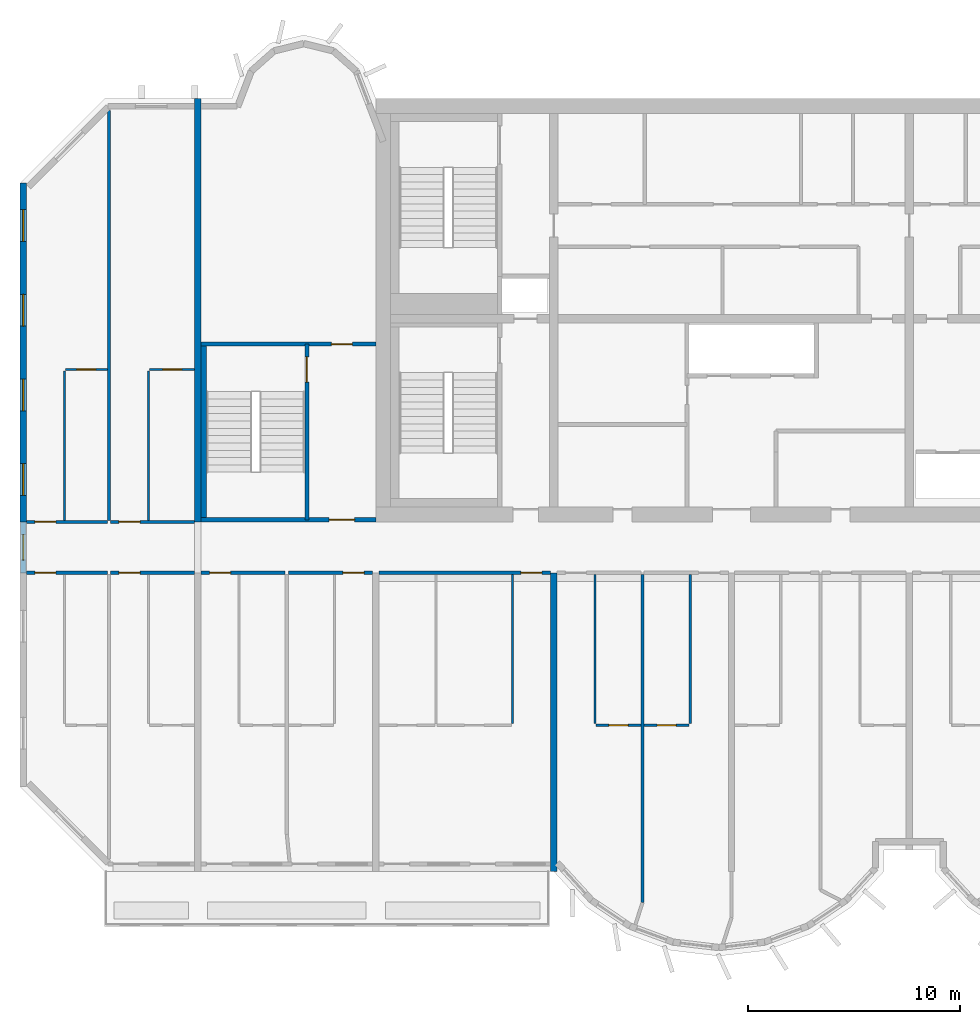
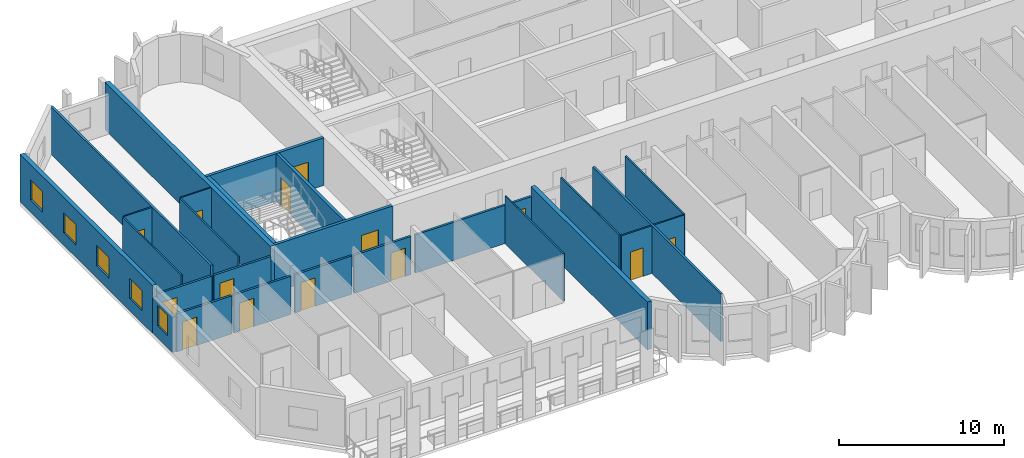
# One storey, part 3 of 13: 26 walls, 14 doors, 5 windows, 19 openings.
"""IFC4 building model written with IfcOpenShell, lengths in metres."""

import ifcopenshell
import ifcopenshell.guid

model = None  # the IFC model being written
_history = None  # IfcOwnerHistory: only IFC2X3 demands one
_inside = {}  # id of a spatial element -> (the spatial element, [elements in it])
_under = {}  # id of a project, library or spatial element -> (it, [spatial elements below it])
_declared = {}  # id of a project -> (the project, [libraries it declares])
_typed = {}  # id of a type object -> (the type object, [elements of that type])
_made_of = {}  # id of a material, layer set ... -> (it, [elements and type objects made of it])


def new_model(schema):
    """Start an empty IFC model of exactly this schema.

    Asked for "IFC4X3", IfcOpenShell would pick the latest addendum, in which some entities
    have other attributes; the version numbers below select the first issue.
    IFC2X3 requires an IfcOwnerHistory on every rooted entity: one is made here for all.
    """
    global model, _history
    if schema == "IFC4X3":
        model = ifcopenshell.file(schema_version=(4, 3, 0, 0))
    else:
        model = ifcopenshell.file(schema=schema)
    _inside.clear()
    _under.clear()
    _declared.clear()
    _typed.clear()
    _made_of.clear()
    _history = None
    if model.schema == "IFC2X3":
        org = make("IfcOrganization", Name="unknown")
        user = make(
            "IfcPersonAndOrganization",
            ThePerson=make("IfcPerson", FamilyName="unknown"),
            TheOrganization=org,
        )
        app = make(
            "IfcApplication",
            ApplicationDeveloper=org,
            Version="unknown",
            ApplicationFullName="unknown",
            ApplicationIdentifier="unknown",
        )
        _history = make(
            "IfcOwnerHistory",
            OwningUser=user,
            OwningApplication=app,
            ChangeAction="ADDED",
            CreationDate=0,
        )
    return model


def make(cls, **values):
    """One entity of the class cls with the attributes given. An attribute that is None is left unset."""
    return model.create_entity(
        cls, **{name: value for name, value in values.items() if value is not None}
    )


def rooted(cls, **values):
    """An entity with a GlobalId (a new one), such as an element, a storey or a relation."""
    return make(cls, GlobalId=ifcopenshell.guid.new(), OwnerHistory=_history, **values)


def si_unit(unit_type, name, prefix=None):
    """IfcSIUnit, for example si_unit("LENGTHUNIT", "METRE", prefix="MILLI")."""
    return make("IfcSIUnit", UnitType=unit_type, Prefix=prefix, Name=name)


def assignment(units):
    """IfcUnitAssignment: the units of a project."""
    return None if units is None else make("IfcUnitAssignment", Units=units)


def point(xyz):
    """IfcCartesianPoint."""
    return None if xyz is None else make("IfcCartesianPoint", Coordinates=xyz)


def direction(xyz):
    """IfcDirection."""
    return None if xyz is None else make("IfcDirection", DirectionRatios=xyz)


def frame(location, z_axis=None, x_axis=None):
    """IfcAxis2Placement3D, a coordinate frame: its origin and axes. An axis left out is left unset."""
    return make(
        "IfcAxis2Placement3D",
        Location=point(location),
        Axis=direction(z_axis),
        RefDirection=direction(x_axis),
    )


def frame_2d(location, x_axis=None):
    """IfcAxis2Placement2D, a coordinate frame in the plane: its origin and x axis."""
    return make(
        "IfcAxis2Placement2D", Location=point(location), RefDirection=direction(x_axis)
    )


def origin():
    """The frame at (0, 0, 0) with its axes left unset."""
    return frame((0.0, 0.0, 0.0))


def place(relative_to, where):
    """IfcLocalPlacement: puts the frame where relative to a parent placement (None: the world)."""
    return make(
        "IfcLocalPlacement", PlacementRelTo=relative_to, RelativePlacement=where
    )


def context(
    kind, dimensions, precision=None, world=None, true_north=None, identifier=None
):
    """IfcGeometricRepresentationContext, for example the 3D "Model" context."""
    return make(
        "IfcGeometricRepresentationContext",
        ContextIdentifier=identifier,
        ContextType=kind,
        CoordinateSpaceDimension=dimensions,
        Precision=precision,
        WorldCoordinateSystem=world,
        TrueNorth=true_north,
    )


def subcontext(parent, identifier, kind, view, scale=None):
    """IfcGeometricRepresentationSubContext, for example "Body" below "Model"."""
    return make(
        "IfcGeometricRepresentationSubContext",
        ContextIdentifier=identifier,
        ContextType=kind,
        ParentContext=parent,
        TargetScale=scale,
        TargetView=view,
    )


def project(units=None, contexts=None):
    """IfcProject with its units and contexts."""
    return rooted(
        "IfcProject",
        Name="project",
        RepresentationContexts=contexts,
        UnitsInContext=assignment(units),
    )


def spatial(cls, under=None, at=None, **own):
    """A site, building, storey or space (cls), placed at a placement, below another one or the project."""
    s = rooted(cls, ObjectPlacement=at, **own)
    if under is not None:
        _under.setdefault(under.id(), (under, []))[1].append(s)
    return s


def profile(cls, at=None, kind="AREA", **sizes):
    """A parametric profile (cls). Its sizes go by their IFC names, for example OverallWidth=200.0."""
    return make(cls, ProfileType=kind, Position=at, **sizes)


def rectangle(**sizes):
    """IfcRectangleProfileDef."""
    return profile("IfcRectangleProfileDef", **sizes)


def extrude(swept, where, along, depth):
    """IfcExtrudedAreaSolid: the profile swept, set in the frame where, extruded along a direction by depth."""
    return make(
        "IfcExtrudedAreaSolid",
        SweptArea=swept,
        Position=where,
        ExtrudedDirection=direction(along),
        Depth=depth,
    )


def shape(context_of_items, identifier, shape_type, items):
    """IfcShapeRepresentation: the items that make up one representation, for example the "Body"."""
    return make(
        "IfcShapeRepresentation",
        ContextOfItems=context_of_items,
        RepresentationIdentifier=identifier,
        RepresentationType=shape_type,
        Items=items,
    )


def source(mapping_origin, context_of_items, identifier, shape_type, items):
    """IfcRepresentationMap: a shape defined once, which mapped items show again and again."""
    return make(
        "IfcRepresentationMap",
        MappingOrigin=mapping_origin,
        MappedRepresentation=shape(context_of_items, identifier, shape_type, items),
    )


def transform(
    local_origin,
    x_axis=None,
    y_axis=None,
    z_axis=None,
    scale=None,
    scale2=None,
    scale3=None,
    uniform=True,
):
    """IfcCartesianTransformationOperator3D, or its non-uniform kind. x_axis, y_axis, z_axis: its Axis1, 2, 3."""
    if uniform:
        return make(
            "IfcCartesianTransformationOperator3D",
            Axis1=direction(x_axis),
            Axis2=direction(y_axis),
            LocalOrigin=point(local_origin),
            Scale=scale,
            Axis3=direction(z_axis),
        )
    return make(
        "IfcCartesianTransformationOperator3DnonUniform",
        Axis1=direction(x_axis),
        Axis2=direction(y_axis),
        LocalOrigin=point(local_origin),
        Scale=scale,
        Axis3=direction(z_axis),
        Scale2=scale2,
        Scale3=scale3,
    )


def mapped(mapping_source, mapping_target):
    """IfcMappedItem: shows the shape of a source again, moved by a transform."""
    return make(
        "IfcMappedItem", MappingSource=mapping_source, MappingTarget=mapping_target
    )


def material(Name=None, Category=None):
    """IfcMaterial."""
    return make("IfcMaterial", Name=Name, Category=Category)


def layer(
    of_material, thickness, ventilated=None, Name=None, Category=None, Priority=None
):
    """IfcMaterialLayer: one layer of a wall or slab, of a material (None: an air gap)."""
    return make(
        "IfcMaterialLayer",
        Material=of_material,
        LayerThickness=thickness,
        IsVentilated=ventilated,
        Name=Name,
        Category=Category,
        Priority=Priority,
    )


def layer_set(layers, Name=None):
    """IfcMaterialLayerSet."""
    return make("IfcMaterialLayerSet", MaterialLayers=layers, LayerSetName=Name)


def made_of(thing, what):
    """Note that an element or type object is made of a material, layer set ...; save() writes the relation."""
    if what is not None:
        _made_of.setdefault(what.id(), (what, []))[1].append(thing)
    return thing


def type_object(cls, material=None, **own):
    """A type object (cls), such as IfcWallType, which elements share."""
    return made_of(rooted(cls, **own), material)


def element(
    cls,
    number,
    at=None,
    inside=None,
    cuts=None,
    type_object=None,
    material=None,
    context=None,
    identifier="Body",
    shape_type=None,
    held_by="IfcProductDefinitionShape",
    body=None,
    shapes=None,
    **own,
):
    """One element of the class cls, such as IfcWall. Its Tag is "e" and its number.

    at: its placement. inside: the storey or other place that contains it. cuts: it is an
    opening in that element (IfcRelVoidsElement). A single representation is given by context,
    identifier, shape_type and body (its items); several are given by shapes. held_by: the class
    of the entity that holds the representations. save() writes the other relations.
    """
    e = rooted(cls, Tag="e%d" % number, ObjectPlacement=at, **own)
    if body is not None:
        shapes = [shape(context, identifier, shape_type, body)]
    if shapes is not None:
        e.Representation = make(held_by, Representations=shapes)
    if inside is not None:
        _inside.setdefault(inside.id(), (inside, []))[1].append(e)
    if cuts is not None:
        rooted(
            "IfcRelVoidsElement", RelatingBuildingElement=cuts, RelatedOpeningElement=e
        )
    if type_object is not None:
        _typed.setdefault(type_object.id(), (type_object, []))[1].append(e)
    return made_of(e, material)


def fill(opening, filler):
    """IfcRelFillsElement: the door or window that sits in an opening."""
    return rooted(
        "IfcRelFillsElement",
        RelatingOpeningElement=opening,
        RelatedBuildingElement=filler,
    )


def aggregate(whole, parts):
    """IfcRelAggregates: a whole, such as a stair, and the parts it consists of."""
    return rooted("IfcRelAggregates", RelatingObject=whole, RelatedObjects=parts)


def save(model, path):
    """Write the relations noted so far, then the file.

    IfcRelAggregates (storeys below a building ...), IfcRelContainedInSpatialStructure (elements
    in a storey), IfcRelDefinesByType, IfcRelAssociatesMaterial and IfcRelDeclares: one each for
    every whole, place, type object, material and project.
    """
    for whole, parts in _under.values():
        aggregate(whole, parts)
    for where, things in _inside.values():
        rooted(
            "IfcRelContainedInSpatialStructure",
            RelatedElements=things,
            RelatingStructure=where,
        )
    for kind, things in _typed.values():
        rooted("IfcRelDefinesByType", RelatedObjects=things, RelatingType=kind)
    for what, things in _made_of.values():
        rooted("IfcRelAssociatesMaterial", RelatedObjects=things, RelatingMaterial=what)
    for by, libraries in _declared.values():
        rooted("IfcRelDeclares", RelatingContext=by, RelatedDefinitions=libraries)
    model.write(path)


model = new_model("IFC4")

# Units and contexts
model_context = context("Model", 3, precision=1e-05, world=origin(), true_north=direction((0.0, 1.0)))
body_context = subcontext(model_context, "Body", "Model", "MODEL_VIEW")
ifc_project = project(units=[si_unit("LENGTHUNIT", "METRE"), si_unit("AREAUNIT", "SQUARE_METRE"), si_unit("VOLUMEUNIT", "CUBIC_METRE"), si_unit("PLANEANGLEUNIT", "RADIAN"), si_unit("MASSUNIT", "GRAM", prefix="KILO")], contexts=[model_context])

# Site, building, storey
site_placement = place(None, origin())
site = spatial("IfcSite", under=ifc_project, at=site_placement, CompositionType="ELEMENT")
building_placement = place(site_placement, origin())
building = spatial("IfcBuilding", under=site, at=building_placement, Name="Vanashikhar Sky Hotel", CompositionType="ELEMENT")
storey_placement = place(building_placement, frame((0.0, 0.0, 174.39990234375)))
storey = spatial("IfcBuildingStorey", under=building, at=storey_placement, Name="L42", CompositionType="ELEMENT", Elevation=174.39990234375)

# Wall, openings, windows
ifc_material_1 = material(Name="Concrete M60", Category="concrete")
ifc_layer_1 = layer(ifc_material_1, 0.300048828125)
ifc_layer_set_1 = layer_set([ifc_layer_1], Name="RC shear wall 300 Concrete M60")
wall_type_1 = type_object("IfcWallType", Name="RC shear wall 300 Concrete M60", PredefinedType="SHEAR", material=ifc_layer_set_1)
shared_shape_1 = source(origin(), body_context, "Body", "SweptSolid", [
    extrude(rectangle(XDim=16.0, YDim=0.300048828125, at=frame_2d((8.0, 0.0))), origin(), (0.0, 0.0, 1.0), 3.52001953125),
])
wall_1_placement = place(storey_placement, frame((8.550048828125, 22.0, 0.0), z_axis=(0.0, 0.0, 1.0), x_axis=(0.0, 1.0, 0.0)))
wall_1 = element("IfcWall", 1, at=wall_1_placement, inside=storey, type_object=wall_type_1, Name="CW-L42-XW02-2", PredefinedType="SHEAR", context=body_context, shape_type="MappedRepresentation", body=[
    mapped(shared_shape_1, transform((0.0, 0.0, 0.0), scale=1.0)),
])
shared_shape_2 = source(origin(), body_context, "Body", "SweptSolid", [
    extrude(rectangle(XDim=1.5, YDim=1.5, at=frame_2d((0.75, 0.75))), frame((0.0, 0.16015625, 0.0), z_axis=(0.0, -1.0, 0.0), x_axis=(1.0, 0.0, 0.0)), (0.0, 0.0, 1.0), 0.320068359375),
])
opening_1_placement = place(wall_1_placement, frame((1.25, 0.0, 0.89990234375)))
opening_1 = element("IfcOpeningElement", 2, at=opening_1_placement, cuts=wall_1, Name="Opening WN-1", PredefinedType="OPENING", context=body_context, shape_type="MappedRepresentation", body=[
    mapped(shared_shape_2, transform((0.0, 0.0, 0.0), scale=1.0)),
])
opening_2_placement = place(wall_1_placement, frame((5.25, 0.0, 0.89990234375)))
opening_2 = element("IfcOpeningElement", 3, at=opening_2_placement, cuts=wall_1, Name="Opening WN-1", PredefinedType="OPENING", context=body_context, shape_type="MappedRepresentation", body=[
    mapped(shared_shape_2, transform((0.0, 0.0, 0.0), scale=1.0)),
])
opening_3_placement = place(wall_1_placement, frame((9.25, 0.0, 0.89990234375)))
opening_3 = element("IfcOpeningElement", 4, at=opening_3_placement, cuts=wall_1, Name="Opening WN-1", PredefinedType="OPENING", context=body_context, shape_type="MappedRepresentation", body=[
    mapped(shared_shape_2, transform((0.0, 0.0, 0.0), scale=1.0)),
])
opening_4_placement = place(wall_1_placement, frame((13.25, 0.0, 0.89990234375)))
opening_4 = element("IfcOpeningElement", 5, at=opening_4_placement, cuts=wall_1, Name="Opening WN-1", PredefinedType="OPENING", context=body_context, shape_type="MappedRepresentation", body=[
    mapped(shared_shape_2, transform((0.0, 0.0, 0.0), scale=1.0)),
])
ifc_material_2 = material(Name="Glass", Category="glass")
window_type_1 = type_object("IfcWindowType", Name="Window 1500 x 1500", PartitioningType="SINGLE_PANEL", PredefinedType="WINDOW", material=ifc_material_2)
shared_shape_3 = source(origin(), body_context, "Body", "SweptSolid", [
    extrude(rectangle(XDim=1.5, YDim=1.5, at=frame_2d((0.75, 0.75))), frame((0.0, 0.030029296875, 0.0), z_axis=(0.0, -1.0, 0.0), x_axis=(1.0, 0.0, 0.0)), (0.0, 0.0, 1.0), 0.06005859375),
])
window_1_placement = place(opening_1_placement, origin())
window_1 = element("IfcWindow", 6, at=window_1_placement, inside=storey, type_object=window_type_1, Name="Window WN-1", OverallHeight=1.5, OverallWidth=1.5, PartitioningType="SINGLE_PANEL", PredefinedType="WINDOW", context=body_context, shape_type="MappedRepresentation", body=[
    mapped(shared_shape_3, transform((0.0, 0.0, 0.0), scale=1.0)),
])
fill(opening_1, window_1)
window_2_placement = place(opening_2_placement, origin())
window_2 = element("IfcWindow", 7, at=window_2_placement, inside=storey, type_object=window_type_1, Name="Window WN-1", OverallHeight=1.5, OverallWidth=1.5, PartitioningType="SINGLE_PANEL", PredefinedType="WINDOW", context=body_context, shape_type="MappedRepresentation", body=[
    mapped(shared_shape_3, transform((0.0, 0.0, 0.0), scale=1.0)),
])
fill(opening_2, window_2)
window_3_placement = place(opening_3_placement, origin())
window_3 = element("IfcWindow", 8, at=window_3_placement, inside=storey, type_object=window_type_1, Name="Window WN-1", OverallHeight=1.5, OverallWidth=1.5, PartitioningType="SINGLE_PANEL", PredefinedType="WINDOW", context=body_context, shape_type="MappedRepresentation", body=[
    mapped(shared_shape_3, transform((0.0, 0.0, 0.0), scale=1.0)),
])
fill(opening_3, window_3)
window_4_placement = place(opening_4_placement, origin())
window_4 = element("IfcWindow", 9, at=window_4_placement, inside=storey, type_object=window_type_1, Name="Window WN-1", OverallHeight=1.5, OverallWidth=1.5, PartitioningType="SINGLE_PANEL", PredefinedType="WINDOW", context=body_context, shape_type="MappedRepresentation", body=[
    mapped(shared_shape_3, transform((0.0, 0.0, 0.0), scale=1.0)),
])
fill(opening_4, window_4)

# Walls
shared_shape_4 = source(origin(), body_context, "Body", "SweptSolid", [
    extrude(rectangle(XDim=14.10009765625, YDim=0.300048828125, at=frame_2d((7.050048828125, 0.0))), origin(), (0.0, 0.0, 1.0), 3.52001953125),
])
wall_2_placement = place(storey_placement, frame((33.60009765625, 5.5, 0.0), z_axis=(0.0, 0.0, 1.0), x_axis=(0.0, 1.0, 0.0)))
element("IfcWall", 10, at=wall_2_placement, inside=storey, type_object=wall_type_1, Name="CW-L42-XW05-1", PredefinedType="SHEAR", context=body_context, shape_type="MappedRepresentation", body=[
    mapped(shared_shape_4, transform((0.0, 0.0, 0.0), scale=1.0)),
])
shared_shape_5 = source(origin(), body_context, "Body", "SweptSolid", [
    extrude(rectangle(XDim=20.0, YDim=0.300048828125, at=frame_2d((10.0, 0.0))), origin(), (0.0, 0.0, 1.0), 3.52001953125),
])
wall_3_placement = place(storey_placement, frame((16.800048828125, 22.0, 0.0), z_axis=(0.0, 0.0, 1.0), x_axis=(0.0, 1.0, 0.0)))
element("IfcWall", 11, at=wall_3_placement, inside=storey, type_object=wall_type_1, Name="CW-L42-XW03-2", PredefinedType="SHEAR", context=body_context, shape_type="MappedRepresentation", body=[
    mapped(shared_shape_5, transform((0.0, 0.0, 0.0), scale=1.0)),
])

# Wall, opening, window
ifc_material_3 = material(Name="Concrete M50", Category="concrete")
ifc_layer_2 = layer(ifc_material_3, 0.25)
ifc_layer_set_2 = layer_set([ifc_layer_2], Name="Rear and end board-marked wall 250")
wall_type_2 = type_object("IfcWallType", Name="Rear and end board-marked wall 250", PredefinedType="SOLIDWALL", material=ifc_layer_set_2)
shared_shape_6 = source(origin(), body_context, "Body", "SweptSolid", [
    extrude(rectangle(XDim=2.39990234375, YDim=0.25, at=frame_2d((1.199951171875, 0.0))), origin(), (0.0, 0.0, 1.0), 2.6201171875),
])
wall_4_placement = place(storey_placement, frame((8.550048828125, 19.60009765625, 0.0), z_axis=(0.0, 0.0, 1.0), x_axis=(0.0, 1.0, 0.0)))
wall_4 = element("IfcWall", 12, at=wall_4_placement, inside=storey, type_object=wall_type_2, Name="End corridor infill wall", PredefinedType="SOLIDWALL", context=body_context, shape_type="MappedRepresentation", body=[
    mapped(shared_shape_6, transform((0.0, 0.0, 0.0), scale=1.0)),
])
shared_shape_7 = source(origin(), body_context, "Body", "SweptSolid", [
    extrude(rectangle(XDim=1.199951171875, YDim=1.5, at=frame_2d((0.60009765625, 0.75))), frame((0.0, 0.135009765625, 0.0), z_axis=(0.0, -1.0, 0.0), x_axis=(1.0, 0.0, 0.0)), (0.0, 0.0, 1.0), 0.27001953125),
])
opening_5_placement = place(wall_4_placement, frame((0.60009765625, 0.0, 0.89990234375)))
opening_5 = element("IfcOpeningElement", 13, at=opening_5_placement, cuts=wall_4, Name="Opening WN-3", PredefinedType="OPENING", context=body_context, shape_type="MappedRepresentation", body=[
    mapped(shared_shape_7, transform((0.0, 0.0, 0.0), scale=1.0)),
])
window_type_2 = type_object("IfcWindowType", Name="Corridor end window 1200 x 1500", PartitioningType="SINGLE_PANEL", PredefinedType="WINDOW", material=ifc_material_2)
shared_shape_8 = source(origin(), body_context, "Body", "SweptSolid", [
    extrude(rectangle(XDim=1.199951171875, YDim=1.5, at=frame_2d((0.60009765625, 0.75))), frame((0.0, 0.030029296875, 0.0), z_axis=(0.0, -1.0, 0.0), x_axis=(1.0, 0.0, 0.0)), (0.0, 0.0, 1.0), 0.06005859375),
])
window_5_placement = place(opening_5_placement, origin())
window_5 = element("IfcWindow", 14, at=window_5_placement, inside=storey, type_object=window_type_2, Name="Window WN-3", OverallHeight=1.5, OverallWidth=1.199951171875, PartitioningType="SINGLE_PANEL", PredefinedType="WINDOW", context=body_context, shape_type="MappedRepresentation", body=[
    mapped(shared_shape_8, transform((0.0, 0.0, 0.0), scale=1.0)),
])
fill(opening_5, window_5)

# Wall, opening, door
ifc_layer_3 = layer(ifc_material_3, 0.199951171875)
ifc_layer_set_3 = layer_set([ifc_layer_3], Name="Stair wall 200")
wall_type_3 = type_object("IfcWallType", Name="Stair wall 200", PredefinedType="SOLIDWALL", material=ifc_layer_set_3)
shared_shape_9 = source(origin(), body_context, "Body", "SweptSolid", [
    extrude(rectangle(XDim=8.2998046875, YDim=0.199951171875, at=frame_2d((4.14990234375, 0.0))), origin(), (0.0, 0.0, 1.0), 3.52001953125),
])
wall_5_placement = place(storey_placement, frame((21.949951171875, 22.10009765625, 0.0), z_axis=(0.0, 0.0, 1.0), x_axis=(0.0, 1.0, 0.0)))
wall_5 = element("IfcWall", 15, at=wall_5_placement, inside=storey, type_object=wall_type_3, Name="Stair wall 200", PredefinedType="SOLIDWALL", context=body_context, shape_type="MappedRepresentation", body=[
    mapped(shared_shape_9, transform((0.0, 0.0, 0.0), scale=1.0)),
])
shared_shape_10 = source(origin(), body_context, "Body", "SweptSolid", [
    extrude(rectangle(XDim=1.199951171875, YDim=2.10009765625, at=frame_2d((0.60009765625, 1.050048828125))), frame((0.0, 0.10986328125, 0.0), z_axis=(0.0, -1.0, 0.0), x_axis=(1.0, 0.0, 0.0)), (0.0, 0.0, 1.0), 0.219970703125),
])
opening_6_placement = place(wall_5_placement, frame((6.5, 0.0, 0.0)))
opening_6 = element("IfcOpeningElement", 16, at=opening_6_placement, cuts=wall_5, Name="Opening DC-1", PredefinedType="OPENING", context=body_context, shape_type="MappedRepresentation", body=[
    mapped(shared_shape_10, transform((0.0, 0.0, 0.0), scale=1.0)),
])
ifc_material_4 = material(Name="Steel", Category="steel")
door_type_1 = type_object("IfcDoorType", Name="Stair door 1200 FD120", OperationType="NOTDEFINED", PredefinedType="DOOR", material=ifc_material_4)
shared_shape_11 = source(origin(), body_context, "Body", "SweptSolid", [
    extrude(rectangle(XDim=1.199951171875, YDim=2.10009765625, at=frame_2d((0.60009765625, 1.050048828125))), frame((0.0, 0.02490234375, 0.0), z_axis=(0.0, -1.0, 0.0), x_axis=(1.0, 0.0, 0.0)), (0.0, 0.0, 1.0), 0.050048828125),
])
door_1_placement = place(opening_6_placement, origin())
door_1 = element("IfcDoor", 17, at=door_1_placement, inside=storey, type_object=door_type_1, Name="Stair door 1200 FD120", OperationType="SINGLE_SWING_RIGHT", OverallHeight=2.10009765625, OverallWidth=1.199951171875, PredefinedType="DOOR", context=body_context, shape_type="MappedRepresentation", body=[
    mapped(shared_shape_11, transform((0.0, 0.0, 0.0), scale=1.0)),
])
fill(opening_6, door_1)

shared_shape_12 = source(origin(), body_context, "Body", "SweptSolid", [
    extrude(rectangle(XDim=8.25, YDim=0.199951171875, at=frame_2d((4.125, 0.0))), origin(), (0.0, 0.0, 1.0), 3.52001953125),
])
wall_6_placement = place(storey_placement, frame((16.949951171875, 22.10009765625, 0.0), z_axis=(0.0, 0.0, 1.0), x_axis=(1.0, 0.0, 0.0)))
wall_6 = element("IfcWall", 18, at=wall_6_placement, inside=storey, type_object=wall_type_3, Name="Stair wall 200", PredefinedType="SOLIDWALL", context=body_context, shape_type="MappedRepresentation", body=[
    mapped(shared_shape_12, transform((0.0, 0.0, 0.0), scale=1.0)),
])
opening_7_placement = place(wall_6_placement, frame((6.050048828125, 0.0, 0.0)))
opening_7 = element("IfcOpeningElement", 19, at=opening_7_placement, cuts=wall_6, Name="Opening DC-2", PredefinedType="OPENING", context=body_context, shape_type="MappedRepresentation", body=[
    mapped(shared_shape_10, transform((0.0, 0.0, 0.0), scale=1.0)),
])
door_type_2 = type_object("IfcDoorType", Name="Firefighting lobby door 1200 FD120", OperationType="NOTDEFINED", PredefinedType="DOOR", material=ifc_material_4)
door_2_placement = place(opening_7_placement, origin())
door_2 = element("IfcDoor", 20, at=door_2_placement, inside=storey, type_object=door_type_2, Name="Firefighting lobby door 1200 FD120", OperationType="SINGLE_SWING_RIGHT", OverallHeight=2.10009765625, OverallWidth=1.199951171875, PredefinedType="DOOR", context=body_context, shape_type="MappedRepresentation", body=[
    mapped(shared_shape_11, transform((0.0, 0.0, 0.0), scale=1.0)),
])
fill(opening_7, door_2)

wall_7_placement = place(storey_placement, frame((16.949951171875, 30.39990234375, 0.0), z_axis=(0.0, 0.0, 1.0), x_axis=(1.0, 0.0, 0.0)))
wall_7 = element("IfcWall", 21, at=wall_7_placement, inside=storey, type_object=wall_type_3, Name="Stair wall 200", PredefinedType="SOLIDWALL", context=body_context, shape_type="MappedRepresentation", body=[
    mapped(shared_shape_12, transform((0.0, 0.0, 0.0), scale=1.0)),
])
shared_shape_13 = source(origin(), body_context, "Body", "SweptSolid", [
    extrude(rectangle(XDim=1.0, YDim=2.10009765625, at=frame_2d((0.5, 1.050048828125))), frame((0.0, 0.10986328125, 0.0), z_axis=(0.0, -1.0, 0.0), x_axis=(1.0, 0.0, 0.0)), (0.0, 0.0, 1.0), 0.219970703125),
])
opening_8_placement = place(wall_7_placement, frame((6.14990234375, 0.0, 0.0)))
opening_8 = element("IfcOpeningElement", 22, at=opening_8_placement, cuts=wall_7, Name="Opening DC-6", PredefinedType="OPENING", context=body_context, shape_type="MappedRepresentation", body=[
    mapped(shared_shape_13, transform((0.0, 0.0, 0.0), scale=1.0)),
])
door_type_3 = type_object("IfcDoorType", Name="Pocket door 1000 FD60", OperationType="NOTDEFINED", PredefinedType="DOOR", material=ifc_material_4)
shared_shape_14 = source(origin(), body_context, "Body", "SweptSolid", [
    extrude(rectangle(XDim=1.0, YDim=2.10009765625, at=frame_2d((0.5, 1.050048828125))), frame((0.0, 0.02490234375, 0.0), z_axis=(0.0, -1.0, 0.0), x_axis=(1.0, 0.0, 0.0)), (0.0, 0.0, 1.0), 0.050048828125),
])
door_3_placement = place(opening_8_placement, origin())
door_3 = element("IfcDoor", 23, at=door_3_placement, inside=storey, type_object=door_type_3, Name="Pocket door 1000 FD60", OperationType="SINGLE_SWING_RIGHT", OverallHeight=2.10009765625, OverallWidth=1.0, PredefinedType="DOOR", context=body_context, shape_type="MappedRepresentation", body=[
    mapped(shared_shape_14, transform((0.0, 0.0, 0.0), scale=1.0)),
])
fill(opening_8, door_3)

# Walls
ifc_layer_4 = layer(ifc_material_3, 0.25)
ifc_layer_set_4 = layer_set([ifc_layer_4], Name="Stair infill wall 250")
wall_type_4 = type_object("IfcWallType", Name="Stair infill wall 250", PredefinedType="SOLIDWALL", material=ifc_layer_set_4)
shared_shape_15 = source(origin(), body_context, "Body", "SweptSolid", [
    extrude(rectangle(XDim=8.10009765625, YDim=0.25, at=frame_2d((4.050048828125, 0.0))), origin(), (0.0, 0.0, 1.0), 3.52001953125),
])
wall_8_placement = place(storey_placement, frame((17.074951171875, 22.199951171875, 0.0), z_axis=(0.0, 0.0, 1.0), x_axis=(0.0, 1.0, 0.0)))
element("IfcWall", 24, at=wall_8_placement, inside=storey, type_object=wall_type_4, Name="Stair infill wall 250", PredefinedType="SOLIDWALL", context=body_context, shape_type="MappedRepresentation", body=[
    mapped(shared_shape_15, transform((0.0, 0.0, 0.0), scale=1.0)),
])
ifc_material_5 = material(Name="Gypsum plasterboard partition")
ifc_layer_5 = layer(ifc_material_5, 0.10009765625)
ifc_layer_set_5 = layer_set([ifc_layer_5], Name="Wet room partition 100")
wall_type_5 = type_object("IfcWallType", Name="Wet room partition 100", PredefinedType="PARTITIONING", material=ifc_layer_set_5)
shared_shape_16 = source(origin(), body_context, "Body", "SweptSolid", [
    extrude(rectangle(XDim=7.0498046875, YDim=0.10009765625, at=frame_2d((3.52490234375, 0.0))), origin(), (0.0, 0.0, 1.0), 3.52001953125),
])
for number, where, z_axis, x_axis, name in (
    (25, (31.64990234375, 12.47509765625, 0.0), (0.0, 0.0, 1.0), (0.0, 1.0, 0.0), "W-L42-PW015"),
    (26, (35.550048828125, 12.47509765625, 0.0), (0.0, 0.0, 1.0), (0.0, 1.0, 0.0), "W-L42-PW020"),
    (27, (40.050048828125, 12.47509765625, 0.0), (0.0, 0.0, 1.0), (0.0, 1.0, 0.0), "W-L42-PW023"),
):
    element("IfcWall", number, at=place(storey_placement, frame(where, z_axis=z_axis, x_axis=x_axis)), inside=storey, type_object=wall_type_5, Name=name, PredefinedType="PARTITIONING", context=body_context, shape_type="MappedRepresentation", body=[
        mapped(shared_shape_16, transform((0.0, 0.0, 0.0), scale=1.0)),
    ])
shared_shape_17 = source(origin(), body_context, "Body", "SweptSolid", [
    extrude(rectangle(XDim=7.050048828125, YDim=0.10009765625, at=frame_2d((3.52490234375, 0.0))), origin(), (0.0, 0.0, 1.0), 3.52001953125),
])
for number, where, z_axis, x_axis, name in (
    (28, (10.5, 22.074951171875, 0.0), (0.0, 0.0, 1.0), (0.0, 1.0, 0.0), "W-L42-PW071"),
    (29, (14.47509765625, 22.074951171875, 0.0), (0.0, 0.0, 1.0), (0.0, 1.0, 0.0), "W-L42-PW074"),
):
    element("IfcWall", number, at=place(storey_placement, frame(where, z_axis=z_axis, x_axis=x_axis)), inside=storey, type_object=wall_type_5, Name=name, PredefinedType="PARTITIONING", context=body_context, shape_type="MappedRepresentation", body=[
        mapped(shared_shape_17, transform((0.0, 0.0, 0.0), scale=1.0)),
    ])
ifc_layer_6 = layer(ifc_material_5, 0.14990234375)
ifc_layer_set_6 = layer_set([ifc_layer_6], Name="Corridor and demising partition 150")
wall_type_6 = type_object("IfcWallType", Name="Corridor and demising partition 150", PredefinedType="PARTITIONING", material=ifc_layer_set_6)
shared_shape_18 = source(origin(), body_context, "Body", "SweptSolid", [
    extrude(rectangle(XDim=19.34716796875, YDim=0.14990234375, at=frame_2d((9.673583984375, 0.0))), origin(), (0.0, 0.0, 1.0), 3.52001953125),
])
wall_9_placement = place(storey_placement, frame((12.60009765625, 22.074951171875, 0.0), z_axis=(0.0, 0.0, 1.0), x_axis=(0.0, 1.0, 0.0)))
element("IfcWall", 30, at=wall_9_placement, inside=storey, type_object=wall_type_6, Name="W-L42-PW077", PredefinedType="PARTITIONING", context=body_context, shape_type="MappedRepresentation", body=[
    mapped(shared_shape_18, transform((0.0, 0.0, 0.0), scale=1.0)),
])
shared_shape_19 = source(origin(), body_context, "Body", "SweptSolid", [
    extrude(rectangle(XDim=15.497802734375, YDim=0.14990234375, at=frame_2d((7.7490234375, 0.0))), origin(), (0.0, 0.0, 1.0), 3.52001953125),
])
wall_10_placement = place(storey_placement, frame((37.800048828125, 4.027099609375, 0.0), z_axis=(0.0, 0.0, 1.0), x_axis=(0.0, 1.0, 0.0)))
element("IfcWall", 31, at=wall_10_placement, inside=storey, type_object=wall_type_6, Name="W-L42-PW026", PredefinedType="PARTITIONING", context=body_context, shape_type="MappedRepresentation", body=[
    mapped(shared_shape_19, transform((0.0, 0.0, 0.0), scale=1.0)),
])

# Wall, opening, door
shared_shape_20 = source(origin(), body_context, "Body", "SweptSolid", [
    extrude(rectangle(XDim=2.125, YDim=0.10009765625, at=frame_2d((1.0625, 0.0))), origin(), (0.0, 0.0, 1.0), 3.52001953125),
])
wall_11_placement = place(storey_placement, frame((35.60009765625, 12.39990234375, 0.0), z_axis=(0.0, 0.0, 1.0), x_axis=(1.0, 0.0, 0.0)))
wall_11 = element("IfcWall", 32, at=wall_11_placement, inside=storey, type_object=wall_type_5, Name="W-L42-PW021", PredefinedType="PARTITIONING", context=body_context, shape_type="MappedRepresentation", body=[
    mapped(shared_shape_20, transform((0.0, 0.0, 0.0), scale=1.0)),
])
shared_shape_21 = source(origin(), body_context, "Body", "SweptSolid", [
    extrude(rectangle(XDim=0.89990234375, YDim=2.10009765625, at=frame_2d((0.449951171875, 1.050048828125))), frame((0.0, 0.06005859375, 0.0), z_axis=(0.0, -1.0, 0.0), x_axis=(1.0, 0.0, 0.0)), (0.0, 0.0, 1.0), 0.1201171875),
])
opening_9_placement = place(wall_11_placement, frame((0.612060546875, 0.0, 0.0)))
opening_9 = element("IfcOpeningElement", 33, at=opening_9_placement, cuts=wall_11, Name="Opening D-02", PredefinedType="OPENING", context=body_context, shape_type="MappedRepresentation", body=[
    mapped(shared_shape_21, transform((0.0, 0.0, 0.0), scale=1.0)),
])
ifc_material_6 = material(Name="Timber door", Category="wood")
door_type_4 = type_object("IfcDoorType", Name="Internal door 900", OperationType="NOTDEFINED", PredefinedType="DOOR", material=ifc_material_6)
shared_shape_22 = source(origin(), body_context, "Body", "SweptSolid", [
    extrude(rectangle(XDim=0.89990234375, YDim=2.10009765625, at=frame_2d((0.449951171875, 1.050048828125))), frame((0.0, 0.02490234375, 0.0), z_axis=(0.0, -1.0, 0.0), x_axis=(1.0, 0.0, 0.0)), (0.0, 0.0, 1.0), 0.050048828125),
])
door_4_placement = place(opening_9_placement, origin())
door_4 = element("IfcDoor", 34, at=door_4_placement, inside=storey, type_object=door_type_4, Name="D-L42-012", OperationType="SINGLE_SWING_LEFT", OverallHeight=2.10009765625, OverallWidth=0.89990234375, PredefinedType="DOOR", context=body_context, shape_type="MappedRepresentation", body=[
    mapped(shared_shape_22, transform((0.0, 0.0, 0.0), scale=1.0)),
])
fill(opening_9, door_4)

wall_12_placement = place(storey_placement, frame((37.875, 12.39990234375, 0.0), z_axis=(0.0, 0.0, 1.0), x_axis=(1.0, 0.0, 0.0)))
wall_12 = element("IfcWall", 35, at=wall_12_placement, inside=storey, type_object=wall_type_5, Name="W-L42-PW024", PredefinedType="PARTITIONING", context=body_context, shape_type="MappedRepresentation", body=[
    mapped(shared_shape_20, transform((0.0, 0.0, 0.0), scale=1.0)),
])
opening_10_placement = place(wall_12_placement, frame((0.612060546875, 0.0, 0.0)))
opening_10 = element("IfcOpeningElement", 36, at=opening_10_placement, cuts=wall_12, Name="Opening D-02", PredefinedType="OPENING", context=body_context, shape_type="MappedRepresentation", body=[
    mapped(shared_shape_21, transform((0.0, 0.0, 0.0), scale=1.0)),
])
door_5_placement = place(opening_10_placement, origin())
door_5 = element("IfcDoor", 37, at=door_5_placement, inside=storey, type_object=door_type_4, Name="D-L42-014", OperationType="SINGLE_SWING_RIGHT", OverallHeight=2.10009765625, OverallWidth=0.89990234375, PredefinedType="DOOR", context=body_context, shape_type="MappedRepresentation", body=[
    mapped(shared_shape_22, transform((0.0, 0.0, 0.0), scale=1.0)),
])
fill(opening_10, door_5)

wall_13_placement = place(storey_placement, frame((14.52490234375, 29.199951171875, 0.0), z_axis=(0.0, 0.0, 1.0), x_axis=(1.0, 0.0, 0.0)))
wall_13 = element("IfcWall", 38, at=wall_13_placement, inside=storey, type_object=wall_type_5, Name="W-L42-PW075", PredefinedType="PARTITIONING", context=body_context, shape_type="MappedRepresentation", body=[
    mapped(shared_shape_20, transform((0.0, 0.0, 0.0), scale=1.0)),
])
opening_11_placement = place(wall_13_placement, frame((0.612060546875, 0.0, 0.0)))
opening_11 = element("IfcOpeningElement", 39, at=opening_11_placement, cuts=wall_13, Name="Opening D-02", PredefinedType="OPENING", context=body_context, shape_type="MappedRepresentation", body=[
    mapped(shared_shape_21, transform((0.0, 0.0, 0.0), scale=1.0)),
])
door_6_placement = place(opening_11_placement, origin())
door_6 = element("IfcDoor", 40, at=door_6_placement, inside=storey, type_object=door_type_4, Name="D-L42-042", OperationType="SINGLE_SWING_LEFT", OverallHeight=2.10009765625, OverallWidth=0.89990234375, PredefinedType="DOOR", context=body_context, shape_type="MappedRepresentation", body=[
    mapped(shared_shape_22, transform((0.0, 0.0, 0.0), scale=1.0)),
])
fill(opening_11, door_6)

shared_shape_23 = source(origin(), body_context, "Body", "SweptSolid", [
    extrude(rectangle(XDim=3.974853515625, YDim=0.14990234375, at=frame_2d((1.9873046875, 0.0))), origin(), (0.0, 0.0, 1.0), 2.820068359375),
])
wall_14_placement = place(storey_placement, frame((12.675048828125, 19.60009765625, 0.0), z_axis=(0.0, 0.0, 1.0), x_axis=(1.0, 0.0, 0.0)))
wall_14 = element("IfcWall", 41, at=wall_14_placement, inside=storey, type_object=wall_type_6, Name="W-L42-PW006", PredefinedType="PARTITIONING", context=body_context, shape_type="MappedRepresentation", body=[
    mapped(shared_shape_23, transform((0.0, 0.0, 0.0), scale=1.0)),
])
shared_shape_24 = source(origin(), body_context, "Body", "SweptSolid", [
    extrude(rectangle(XDim=1.0, YDim=2.10009765625, at=frame_2d((0.5, 1.050048828125))), frame((0.0, 0.0849609375, 0.0), z_axis=(0.0, -1.0, 0.0), x_axis=(1.0, 0.0, 0.0)), (0.0, 0.0, 1.0), 0.169921875),
])
opening_12_placement = place(wall_14_placement, frame((0.39990234375, 0.0, 0.0)))
opening_12 = element("IfcOpeningElement", 42, at=opening_12_placement, cuts=wall_14, Name="Opening D-01", PredefinedType="OPENING", context=body_context, shape_type="MappedRepresentation", body=[
    mapped(shared_shape_24, transform((0.0, 0.0, 0.0), scale=1.0)),
])
ifc_material_7 = material(Name="Timber fire door", Category="wood")
door_type_5 = type_object("IfcDoorType", Name="Guest entry door 1000 FD30S", OperationType="NOTDEFINED", PredefinedType="DOOR", material=ifc_material_7)
door_7_placement = place(opening_12_placement, origin())
door_7 = element("IfcDoor", 43, at=door_7_placement, inside=storey, type_object=door_type_5, Name="D-L42-004", OperationType="SINGLE_SWING_LEFT", OverallHeight=2.10009765625, OverallWidth=1.0, PredefinedType="DOOR", context=body_context, shape_type="MappedRepresentation", body=[
    mapped(shared_shape_14, transform((0.0, 0.0, 0.0), scale=1.0)),
])
fill(opening_12, door_7)

wall_15_placement = place(storey_placement, frame((12.675048828125, 22.0, 0.0), z_axis=(0.0, 0.0, 1.0), x_axis=(1.0, 0.0, 0.0)))
wall_15 = element("IfcWall", 44, at=wall_15_placement, inside=storey, type_object=wall_type_6, Name="W-L42-PW076", PredefinedType="PARTITIONING", context=body_context, shape_type="MappedRepresentation", body=[
    mapped(shared_shape_23, transform((0.0, 0.0, 0.0), scale=1.0)),
])
opening_13_placement = place(wall_15_placement, frame((0.39990234375, 0.0, 0.0)))
opening_13 = element("IfcOpeningElement", 45, at=opening_13_placement, cuts=wall_15, Name="Opening D-01", PredefinedType="OPENING", context=body_context, shape_type="MappedRepresentation", body=[
    mapped(shared_shape_24, transform((0.0, 0.0, 0.0), scale=1.0)),
])
door_8_placement = place(opening_13_placement, origin())
door_8 = element("IfcDoor", 46, at=door_8_placement, inside=storey, type_object=door_type_5, Name="D-L42-043", OperationType="SINGLE_SWING_LEFT", OverallHeight=2.10009765625, OverallWidth=1.0, PredefinedType="DOOR", context=body_context, shape_type="MappedRepresentation", body=[
    mapped(shared_shape_14, transform((0.0, 0.0, 0.0), scale=1.0)),
])
fill(opening_13, door_8)

shared_shape_25 = source(origin(), body_context, "Body", "SweptSolid", [
    extrude(rectangle(XDim=3.97509765625, YDim=0.14990234375, at=frame_2d((1.987548828125, 0.0))), origin(), (0.0, 0.0, 1.0), 2.820068359375),
])
wall_16_placement = place(storey_placement, frame((16.949951171875, 19.60009765625, 0.0), z_axis=(0.0, 0.0, 1.0), x_axis=(1.0, 0.0, 0.0)))
wall_16 = element("IfcWall", 47, at=wall_16_placement, inside=storey, type_object=wall_type_6, Name="W-L42-PW010", PredefinedType="PARTITIONING", context=body_context, shape_type="MappedRepresentation", body=[
    mapped(shared_shape_25, transform((0.0, 0.0, 0.0), scale=1.0)),
])
opening_14_placement = place(wall_16_placement, frame((0.39990234375, 0.0, 0.0)))
opening_14 = element("IfcOpeningElement", 48, at=opening_14_placement, cuts=wall_16, Name="Opening D-01", PredefinedType="OPENING", context=body_context, shape_type="MappedRepresentation", body=[
    mapped(shared_shape_24, transform((0.0, 0.0, 0.0), scale=1.0)),
])
door_9_placement = place(opening_14_placement, origin())
door_9 = element("IfcDoor", 49, at=door_9_placement, inside=storey, type_object=door_type_5, Name="D-L42-006", OperationType="SINGLE_SWING_LEFT", OverallHeight=2.10009765625, OverallWidth=1.0, PredefinedType="DOOR", context=body_context, shape_type="MappedRepresentation", body=[
    mapped(shared_shape_14, transform((0.0, 0.0, 0.0), scale=1.0)),
])
fill(opening_14, door_9)

wall_17_placement = place(storey_placement, frame((21.074951171875, 19.60009765625, 0.0), z_axis=(0.0, 0.0, 1.0), x_axis=(1.0, 0.0, 0.0)))
wall_17 = element("IfcWall", 50, at=wall_17_placement, inside=storey, type_object=wall_type_6, Name="W-L42-PW013", PredefinedType="PARTITIONING", context=body_context, shape_type="MappedRepresentation", body=[
    mapped(shared_shape_25, transform((0.0, 0.0, 0.0), scale=1.0)),
])
opening_15_placement = place(wall_17_placement, frame((2.574951171875, 0.0, 0.0)))
opening_15 = element("IfcOpeningElement", 51, at=opening_15_placement, cuts=wall_17, Name="Opening D-01", PredefinedType="OPENING", context=body_context, shape_type="MappedRepresentation", body=[
    mapped(shared_shape_24, transform((0.0, 0.0, 0.0), scale=1.0)),
])
door_10_placement = place(opening_15_placement, origin())
door_10 = element("IfcDoor", 52, at=door_10_placement, inside=storey, type_object=door_type_5, Name="D-L42-008", OperationType="SINGLE_SWING_RIGHT", OverallHeight=2.10009765625, OverallWidth=1.0, PredefinedType="DOOR", context=body_context, shape_type="MappedRepresentation", body=[
    mapped(shared_shape_14, transform((0.0, 0.0, 0.0), scale=1.0)),
])
fill(opening_15, door_10)

shared_shape_26 = source(origin(), body_context, "Body", "SweptSolid", [
    extrude(rectangle(XDim=8.099853515625, YDim=0.14990234375, at=frame_2d((4.0498046875, 0.0))), origin(), (0.0, 0.0, 1.0), 2.820068359375),
])
wall_18_placement = place(storey_placement, frame((25.35009765625, 19.60009765625, 0.0), z_axis=(0.0, 0.0, 1.0), x_axis=(1.0, 0.0, 0.0)))
wall_18 = element("IfcWall", 53, at=wall_18_placement, inside=storey, type_object=wall_type_6, Name="W-L42-PW019", PredefinedType="PARTITIONING", context=body_context, shape_type="MappedRepresentation", body=[
    mapped(shared_shape_26, transform((0.0, 0.0, 0.0), scale=1.0)),
])
opening_16_placement = place(wall_18_placement, frame((6.699951171875, 0.0, 0.0)))
opening_16 = element("IfcOpeningElement", 54, at=opening_16_placement, cuts=wall_18, Name="Opening D-01", PredefinedType="OPENING", context=body_context, shape_type="MappedRepresentation", body=[
    mapped(shared_shape_24, transform((0.0, 0.0, 0.0), scale=1.0)),
])
door_11_placement = place(opening_16_placement, origin())
door_11 = element("IfcDoor", 55, at=door_11_placement, inside=storey, type_object=door_type_5, Name="D-L42-011", OperationType="SINGLE_SWING_RIGHT", OverallHeight=2.10009765625, OverallWidth=1.0, PredefinedType="DOOR", context=body_context, shape_type="MappedRepresentation", body=[
    mapped(shared_shape_14, transform((0.0, 0.0, 0.0), scale=1.0)),
])
fill(opening_16, door_11)

shared_shape_27 = source(origin(), body_context, "Body", "SweptSolid", [
    extrude(rectangle(XDim=1.974853515625, YDim=0.10009765625, at=frame_2d((0.9873046875, 0.0))), origin(), (0.0, 0.0, 1.0), 3.52001953125),
])
wall_19_placement = place(storey_placement, frame((10.550048828125, 29.199951171875, 0.0), z_axis=(0.0, 0.0, 1.0), x_axis=(1.0, 0.0, 0.0)))
wall_19 = element("IfcWall", 56, at=wall_19_placement, inside=storey, type_object=wall_type_5, Name="W-L42-PW072", PredefinedType="PARTITIONING", context=body_context, shape_type="MappedRepresentation", body=[
    mapped(shared_shape_27, transform((0.0, 0.0, 0.0), scale=1.0)),
])
opening_17_placement = place(wall_19_placement, frame((0.5380859375, 0.0, 0.0)))
opening_17 = element("IfcOpeningElement", 57, at=opening_17_placement, cuts=wall_19, Name="Opening D-02", PredefinedType="OPENING", context=body_context, shape_type="MappedRepresentation", body=[
    mapped(shared_shape_21, transform((0.0, 0.0, 0.0), scale=1.0)),
])
door_12_placement = place(opening_17_placement, origin())
door_12 = element("IfcDoor", 58, at=door_12_placement, inside=storey, type_object=door_type_4, Name="D-L42-040", OperationType="SINGLE_SWING_LEFT", OverallHeight=2.10009765625, OverallWidth=0.89990234375, PredefinedType="DOOR", context=body_context, shape_type="MappedRepresentation", body=[
    mapped(shared_shape_22, transform((0.0, 0.0, 0.0), scale=1.0)),
])
fill(opening_17, door_12)

shared_shape_28 = source(origin(), body_context, "Body", "SweptSolid", [
    extrude(rectangle(XDim=3.824951171875, YDim=0.14990234375, at=frame_2d((1.91259765625, 0.0))), origin(), (0.0, 0.0, 1.0), 2.820068359375),
])
wall_20_placement = place(storey_placement, frame((8.699951171875, 19.60009765625, 0.0), z_axis=(0.0, 0.0, 1.0), x_axis=(1.0, 0.0, 0.0)))
wall_20 = element("IfcWall", 59, at=wall_20_placement, inside=storey, type_object=wall_type_6, Name="W-L42-PW003", PredefinedType="PARTITIONING", context=body_context, shape_type="MappedRepresentation", body=[
    mapped(shared_shape_28, transform((0.0, 0.0, 0.0), scale=1.0)),
])
opening_18_placement = place(wall_20_placement, frame((0.39990234375, 0.0, 0.0)))
opening_18 = element("IfcOpeningElement", 60, at=opening_18_placement, cuts=wall_20, Name="Opening D-01", PredefinedType="OPENING", context=body_context, shape_type="MappedRepresentation", body=[
    mapped(shared_shape_24, transform((0.0, 0.0, 0.0), scale=1.0)),
])
door_13_placement = place(opening_18_placement, origin())
door_13 = element("IfcDoor", 61, at=door_13_placement, inside=storey, type_object=door_type_5, Name="D-L42-002", OperationType="SINGLE_SWING_LEFT", OverallHeight=2.10009765625, OverallWidth=1.0, PredefinedType="DOOR", context=body_context, shape_type="MappedRepresentation", body=[
    mapped(shared_shape_14, transform((0.0, 0.0, 0.0), scale=1.0)),
])
fill(opening_18, door_13)

wall_21_placement = place(storey_placement, frame((8.699951171875, 22.0, 0.0), z_axis=(0.0, 0.0, 1.0), x_axis=(1.0, 0.0, 0.0)))
wall_21 = element("IfcWall", 62, at=wall_21_placement, inside=storey, type_object=wall_type_6, Name="W-L42-PW073", PredefinedType="PARTITIONING", context=body_context, shape_type="MappedRepresentation", body=[
    mapped(shared_shape_28, transform((0.0, 0.0, 0.0), scale=1.0)),
])
opening_19_placement = place(wall_21_placement, frame((0.39990234375, 0.0, 0.0)))
opening_19 = element("IfcOpeningElement", 63, at=opening_19_placement, cuts=wall_21, Name="Opening D-01", PredefinedType="OPENING", context=body_context, shape_type="MappedRepresentation", body=[
    mapped(shared_shape_24, transform((0.0, 0.0, 0.0), scale=1.0)),
])
door_14_placement = place(opening_19_placement, origin())
door_14 = element("IfcDoor", 64, at=door_14_placement, inside=storey, type_object=door_type_5, Name="D-L42-041", OperationType="SINGLE_SWING_LEFT", OverallHeight=2.10009765625, OverallWidth=1.0, PredefinedType="DOOR", context=body_context, shape_type="MappedRepresentation", body=[
    mapped(shared_shape_14, transform((0.0, 0.0, 0.0), scale=1.0)),
])
fill(opening_19, door_14)

save(model, "model.ifc")
